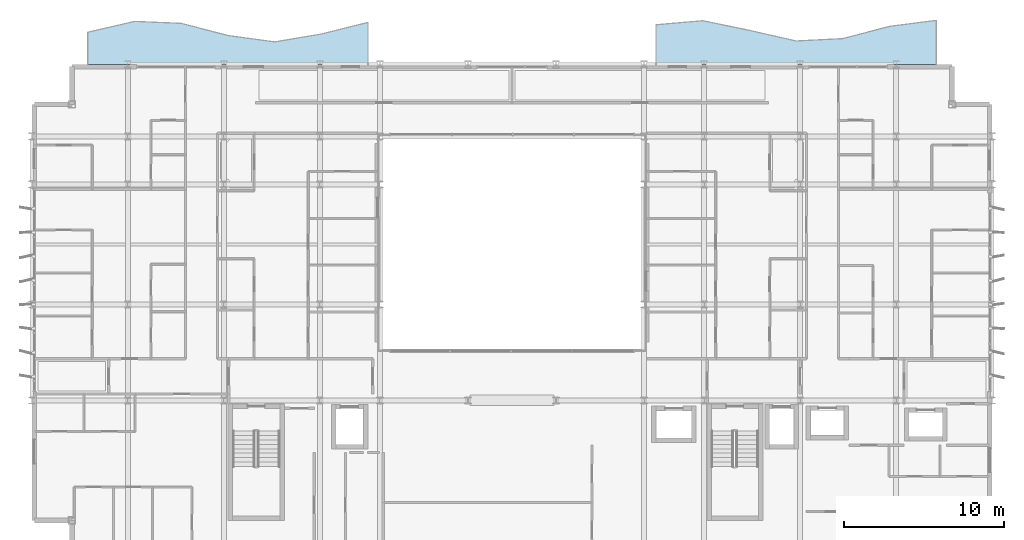
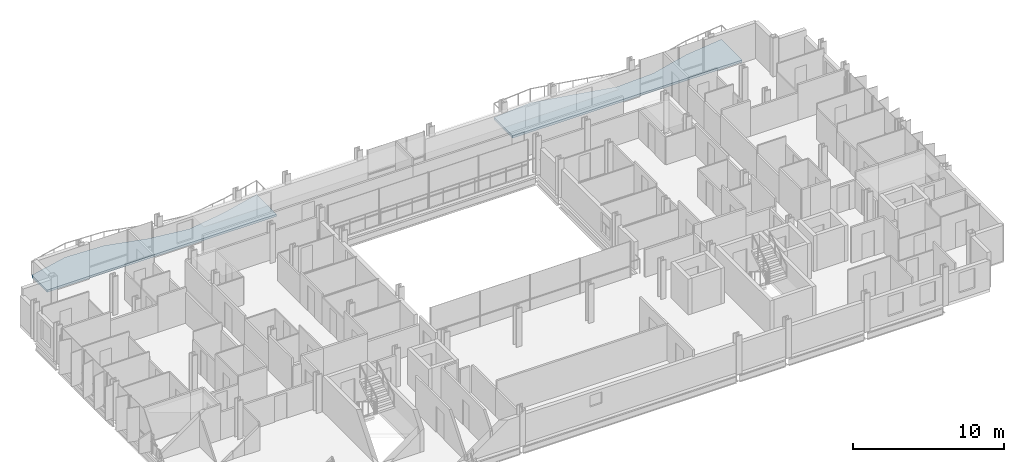
# One storey, part 25 of 38: 2 slabs.
"""IFC4 building model written with IfcOpenShell, lengths in metres."""

import ifcopenshell
import ifcopenshell.guid

model = None  # the IFC model being written
_history = None  # IfcOwnerHistory: only IFC2X3 demands one
_inside = {}  # id of a spatial element -> (the spatial element, [elements in it])
_under = {}  # id of a project, library or spatial element -> (it, [spatial elements below it])
_declared = {}  # id of a project -> (the project, [libraries it declares])
_typed = {}  # id of a type object -> (the type object, [elements of that type])
_made_of = {}  # id of a material, layer set ... -> (it, [elements and type objects made of it])


def new_model(schema):
    """Start an empty IFC model of exactly this schema.

    Asked for "IFC4X3", IfcOpenShell would pick the latest addendum, in which some entities
    have other attributes; the version numbers below select the first issue.
    IFC2X3 requires an IfcOwnerHistory on every rooted entity: one is made here for all.
    """
    global model, _history
    if schema == "IFC4X3":
        model = ifcopenshell.file(schema_version=(4, 3, 0, 0))
    else:
        model = ifcopenshell.file(schema=schema)
    _inside.clear()
    _under.clear()
    _declared.clear()
    _typed.clear()
    _made_of.clear()
    _history = None
    if model.schema == "IFC2X3":
        org = make("IfcOrganization", Name="unknown")
        user = make(
            "IfcPersonAndOrganization",
            ThePerson=make("IfcPerson", FamilyName="unknown"),
            TheOrganization=org,
        )
        app = make(
            "IfcApplication",
            ApplicationDeveloper=org,
            Version="unknown",
            ApplicationFullName="unknown",
            ApplicationIdentifier="unknown",
        )
        _history = make(
            "IfcOwnerHistory",
            OwningUser=user,
            OwningApplication=app,
            ChangeAction="ADDED",
            CreationDate=0,
        )
    return model


def make(cls, **values):
    """One entity of the class cls with the attributes given. An attribute that is None is left unset."""
    return model.create_entity(
        cls, **{name: value for name, value in values.items() if value is not None}
    )


def rooted(cls, **values):
    """An entity with a GlobalId (a new one), such as an element, a storey or a relation."""
    return make(cls, GlobalId=ifcopenshell.guid.new(), OwnerHistory=_history, **values)


def si_unit(unit_type, name, prefix=None):
    """IfcSIUnit, for example si_unit("LENGTHUNIT", "METRE", prefix="MILLI")."""
    return make("IfcSIUnit", UnitType=unit_type, Prefix=prefix, Name=name)


def assignment(units):
    """IfcUnitAssignment: the units of a project."""
    return None if units is None else make("IfcUnitAssignment", Units=units)


def point(xyz):
    """IfcCartesianPoint."""
    return None if xyz is None else make("IfcCartesianPoint", Coordinates=xyz)


def direction(xyz):
    """IfcDirection."""
    return None if xyz is None else make("IfcDirection", DirectionRatios=xyz)


def frame(location, z_axis=None, x_axis=None):
    """IfcAxis2Placement3D, a coordinate frame: its origin and axes. An axis left out is left unset."""
    return make(
        "IfcAxis2Placement3D",
        Location=point(location),
        Axis=direction(z_axis),
        RefDirection=direction(x_axis),
    )


def origin():
    """The frame at (0, 0, 0) with its axes left unset."""
    return frame((0.0, 0.0, 0.0))


def place(relative_to, where):
    """IfcLocalPlacement: puts the frame where relative to a parent placement (None: the world)."""
    return make(
        "IfcLocalPlacement", PlacementRelTo=relative_to, RelativePlacement=where
    )


def context(
    kind, dimensions, precision=None, world=None, true_north=None, identifier=None
):
    """IfcGeometricRepresentationContext, for example the 3D "Model" context."""
    return make(
        "IfcGeometricRepresentationContext",
        ContextIdentifier=identifier,
        ContextType=kind,
        CoordinateSpaceDimension=dimensions,
        Precision=precision,
        WorldCoordinateSystem=world,
        TrueNorth=true_north,
    )


def subcontext(parent, identifier, kind, view, scale=None):
    """IfcGeometricRepresentationSubContext, for example "Body" below "Model"."""
    return make(
        "IfcGeometricRepresentationSubContext",
        ContextIdentifier=identifier,
        ContextType=kind,
        ParentContext=parent,
        TargetScale=scale,
        TargetView=view,
    )


def project(units=None, contexts=None):
    """IfcProject with its units and contexts."""
    return rooted(
        "IfcProject",
        Name="project",
        RepresentationContexts=contexts,
        UnitsInContext=assignment(units),
    )


def spatial(cls, under=None, at=None, **own):
    """A site, building, storey or space (cls), placed at a placement, below another one or the project."""
    s = rooted(cls, ObjectPlacement=at, **own)
    if under is not None:
        _under.setdefault(under.id(), (under, []))[1].append(s)
    return s


def polyline(points):
    """IfcPolyline through the points."""
    return make("IfcPolyline", Points=[point(p) for p in points])


def outline(outer, holes=None, kind="AREA"):
    """IfcArbitraryClosedProfileDef: a profile drawn as a closed curve; with holes, ...WithVoids."""
    if holes is None:
        return make("IfcArbitraryClosedProfileDef", ProfileType=kind, OuterCurve=outer)
    return make(
        "IfcArbitraryProfileDefWithVoids",
        ProfileType=kind,
        OuterCurve=outer,
        InnerCurves=holes,
    )


def extrude(swept, where, along, depth):
    """IfcExtrudedAreaSolid: the profile swept, set in the frame where, extruded along a direction by depth."""
    return make(
        "IfcExtrudedAreaSolid",
        SweptArea=swept,
        Position=where,
        ExtrudedDirection=direction(along),
        Depth=depth,
    )


def shape(context_of_items, identifier, shape_type, items):
    """IfcShapeRepresentation: the items that make up one representation, for example the "Body"."""
    return make(
        "IfcShapeRepresentation",
        ContextOfItems=context_of_items,
        RepresentationIdentifier=identifier,
        RepresentationType=shape_type,
        Items=items,
    )


def material(Name=None, Category=None):
    """IfcMaterial."""
    return make("IfcMaterial", Name=Name, Category=Category)


def layer(
    of_material, thickness, ventilated=None, Name=None, Category=None, Priority=None
):
    """IfcMaterialLayer: one layer of a wall or slab, of a material (None: an air gap)."""
    return make(
        "IfcMaterialLayer",
        Material=of_material,
        LayerThickness=thickness,
        IsVentilated=ventilated,
        Name=Name,
        Category=Category,
        Priority=Priority,
    )


def layer_set(layers, Name=None):
    """IfcMaterialLayerSet."""
    return make("IfcMaterialLayerSet", MaterialLayers=layers, LayerSetName=Name)


def made_of(thing, what):
    """Note that an element or type object is made of a material, layer set ...; save() writes the relation."""
    if what is not None:
        _made_of.setdefault(what.id(), (what, []))[1].append(thing)
    return thing


def type_object(cls, material=None, **own):
    """A type object (cls), such as IfcWallType, which elements share."""
    return made_of(rooted(cls, **own), material)


def element(
    cls,
    number,
    at=None,
    inside=None,
    cuts=None,
    type_object=None,
    material=None,
    context=None,
    identifier="Body",
    shape_type=None,
    held_by="IfcProductDefinitionShape",
    body=None,
    shapes=None,
    **own,
):
    """One element of the class cls, such as IfcWall. Its Tag is "e" and its number.

    at: its placement. inside: the storey or other place that contains it. cuts: it is an
    opening in that element (IfcRelVoidsElement). A single representation is given by context,
    identifier, shape_type and body (its items); several are given by shapes. held_by: the class
    of the entity that holds the representations. save() writes the other relations.
    """
    e = rooted(cls, Tag="e%d" % number, ObjectPlacement=at, **own)
    if body is not None:
        shapes = [shape(context, identifier, shape_type, body)]
    if shapes is not None:
        e.Representation = make(held_by, Representations=shapes)
    if inside is not None:
        _inside.setdefault(inside.id(), (inside, []))[1].append(e)
    if cuts is not None:
        rooted(
            "IfcRelVoidsElement", RelatingBuildingElement=cuts, RelatedOpeningElement=e
        )
    if type_object is not None:
        _typed.setdefault(type_object.id(), (type_object, []))[1].append(e)
    return made_of(e, material)


def aggregate(whole, parts):
    """IfcRelAggregates: a whole, such as a stair, and the parts it consists of."""
    return rooted("IfcRelAggregates", RelatingObject=whole, RelatedObjects=parts)


def save(model, path):
    """Write the relations noted so far, then the file.

    IfcRelAggregates (storeys below a building ...), IfcRelContainedInSpatialStructure (elements
    in a storey), IfcRelDefinesByType, IfcRelAssociatesMaterial and IfcRelDeclares: one each for
    every whole, place, type object, material and project.
    """
    for whole, parts in _under.values():
        aggregate(whole, parts)
    for where, things in _inside.values():
        rooted(
            "IfcRelContainedInSpatialStructure",
            RelatedElements=things,
            RelatingStructure=where,
        )
    for kind, things in _typed.values():
        rooted("IfcRelDefinesByType", RelatedObjects=things, RelatingType=kind)
    for what, things in _made_of.values():
        rooted("IfcRelAssociatesMaterial", RelatedObjects=things, RelatingMaterial=what)
    for by, libraries in _declared.values():
        rooted("IfcRelDeclares", RelatingContext=by, RelatedDefinitions=libraries)
    model.write(path)


model = new_model("IFC4")

# Units and contexts
model_context = context("Model", 3, precision=1e-05, world=origin(), true_north=direction((0.0, 1.0)))
body_context = subcontext(model_context, "Body", "Model", "MODEL_VIEW")
ifc_project = project(units=[si_unit("LENGTHUNIT", "METRE"), si_unit("AREAUNIT", "SQUARE_METRE"), si_unit("VOLUMEUNIT", "CUBIC_METRE"), si_unit("PLANEANGLEUNIT", "RADIAN"), si_unit("MASSUNIT", "GRAM", prefix="KILO")], contexts=[model_context])

# Site, building, storey
site_placement = place(None, origin())
site = spatial("IfcSite", under=ifc_project, at=site_placement, CompositionType="ELEMENT")
building_placement = place(site_placement, origin())
building = spatial("IfcBuilding", under=site, at=building_placement, Name="Brevholm Reach", CompositionType="ELEMENT")
storey_placement = place(building_placement, frame((0.0, 0.0, 71.39990234375)))
storey = spatial("IfcBuildingStorey", under=building, at=storey_placement, Name="L20", CompositionType="ELEMENT", Elevation=71.39990234375)

# Slabs
ifc_material = material(Name="Precast Concrete C40/50", Category="concrete")
ifc_layer = layer(ifc_material, 0.179931640625)
ifc_layer_set = layer_set([ifc_layer], Name="Precast Concrete C40/50")
slab_type = type_object("IfcSlabType", Name="SLB-BAL-180", PredefinedType="FLOOR", material=ifc_layer_set)
slab_1_placement = place(storey_placement, frame((0.0, 0.0, -0.179931640625)))
element("IfcSlab", 1, at=slab_1_placement, inside=storey, type_object=slab_type, Name="L20 Rippling External Balcony NE", PredefinedType="FLOOR", context=body_context, shape_type="SweptSolid", body=[
    extrude(outline(polyline([(39.0, 31.0), (56.5, 31.0), (56.5, 33.746337890625), (53.583251953125, 33.370849609375), (50.666748046875, 32.606201171875), (47.75, 32.45849609375), (44.833251953125, 33.1220703125), (41.916748046875, 33.723876953125), (39.0, 33.4716796875), (39.0, 31.0)])), origin(), (0.0, 0.0, 1.0), 0.179931640625),
])
slab_2_placement = place(storey_placement, frame((0.0, 0.0, -0.179931640625)))
element("IfcSlab", 2, at=slab_2_placement, inside=storey, type_object=slab_type, Name="L20 Rippling External Balcony NW", PredefinedType="FLOOR", context=body_context, shape_type="SweptSolid", body=[
    extrude(outline(polyline([(3.5, 31.0), (21.0, 31.0), (21.0, 33.62109375), (18.083251953125, 32.888916015625), (15.166748046875, 32.401611328125), (12.25, 32.800537109375), (9.333251953125, 33.560546875), (6.416748046875, 33.681640625), (3.5, 33.00439453125), (3.5, 31.0)])), origin(), (0.0, 0.0, 1.0), 0.179931640625),
])

save(model, "model.ifc")
